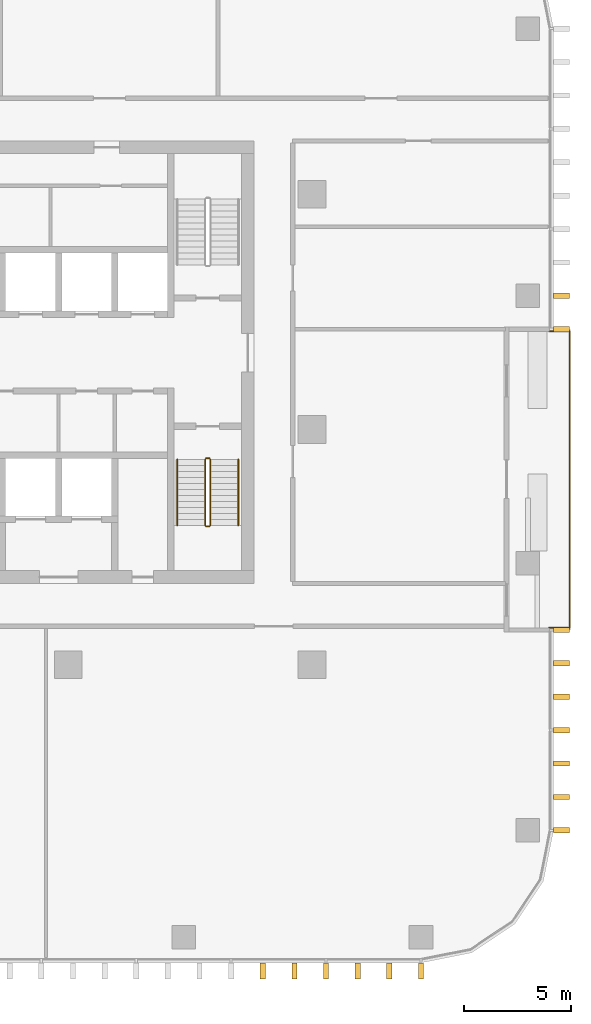
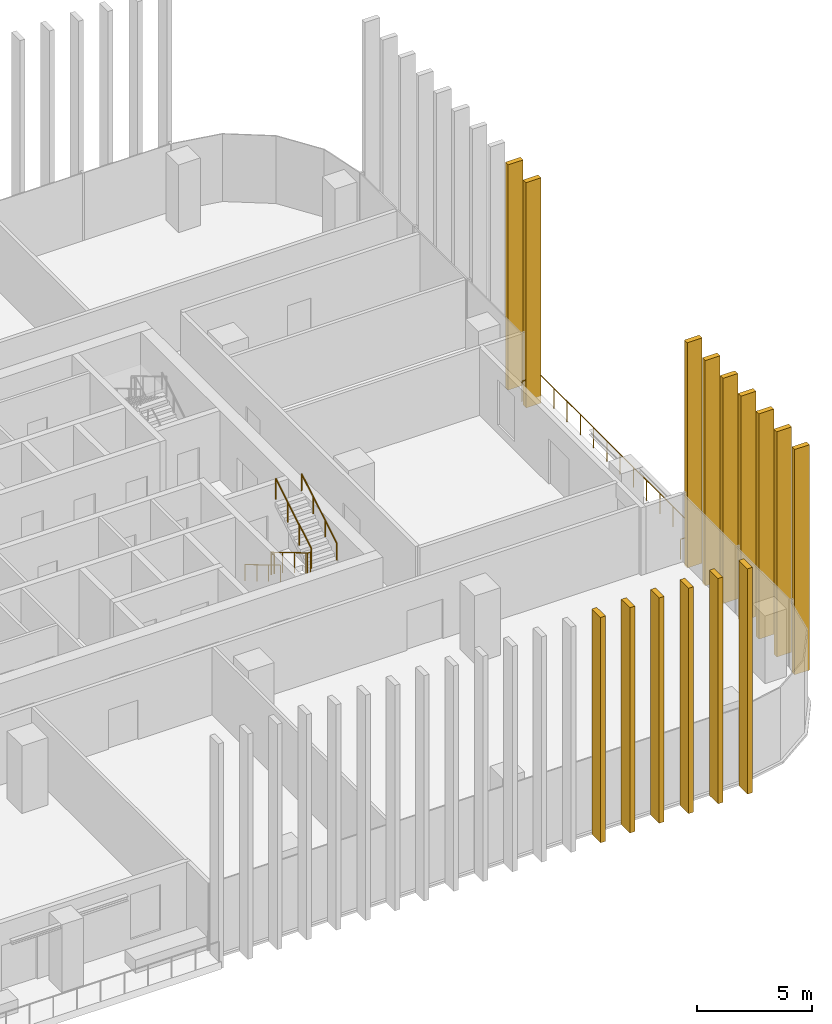
# One storey, part 13 of 15: 15 shading devices, 6 railings.
"""IFC4 building model written with IfcOpenShell, lengths in metres."""

import ifcopenshell
import ifcopenshell.guid

model = None  # the IFC model being written
_history = None  # IfcOwnerHistory: only IFC2X3 demands one
_inside = {}  # id of a spatial element -> (the spatial element, [elements in it])
_under = {}  # id of a project, library or spatial element -> (it, [spatial elements below it])
_declared = {}  # id of a project -> (the project, [libraries it declares])
_typed = {}  # id of a type object -> (the type object, [elements of that type])
_made_of = {}  # id of a material, layer set ... -> (it, [elements and type objects made of it])


def new_model(schema):
    """Start an empty IFC model of exactly this schema.

    Asked for "IFC4X3", IfcOpenShell would pick the latest addendum, in which some entities
    have other attributes; the version numbers below select the first issue.
    IFC2X3 requires an IfcOwnerHistory on every rooted entity: one is made here for all.
    """
    global model, _history
    if schema == "IFC4X3":
        model = ifcopenshell.file(schema_version=(4, 3, 0, 0))
    else:
        model = ifcopenshell.file(schema=schema)
    _inside.clear()
    _under.clear()
    _declared.clear()
    _typed.clear()
    _made_of.clear()
    _history = None
    if model.schema == "IFC2X3":
        org = make("IfcOrganization", Name="unknown")
        user = make(
            "IfcPersonAndOrganization",
            ThePerson=make("IfcPerson", FamilyName="unknown"),
            TheOrganization=org,
        )
        app = make(
            "IfcApplication",
            ApplicationDeveloper=org,
            Version="unknown",
            ApplicationFullName="unknown",
            ApplicationIdentifier="unknown",
        )
        _history = make(
            "IfcOwnerHistory",
            OwningUser=user,
            OwningApplication=app,
            ChangeAction="ADDED",
            CreationDate=0,
        )
    return model


def make(cls, **values):
    """One entity of the class cls with the attributes given. An attribute that is None is left unset."""
    return model.create_entity(
        cls, **{name: value for name, value in values.items() if value is not None}
    )


def rooted(cls, **values):
    """An entity with a GlobalId (a new one), such as an element, a storey or a relation."""
    return make(cls, GlobalId=ifcopenshell.guid.new(), OwnerHistory=_history, **values)


def si_unit(unit_type, name, prefix=None):
    """IfcSIUnit, for example si_unit("LENGTHUNIT", "METRE", prefix="MILLI")."""
    return make("IfcSIUnit", UnitType=unit_type, Prefix=prefix, Name=name)


def assignment(units):
    """IfcUnitAssignment: the units of a project."""
    return None if units is None else make("IfcUnitAssignment", Units=units)


def point(xyz):
    """IfcCartesianPoint."""
    return None if xyz is None else make("IfcCartesianPoint", Coordinates=xyz)


def direction(xyz):
    """IfcDirection."""
    return None if xyz is None else make("IfcDirection", DirectionRatios=xyz)


def frame(location, z_axis=None, x_axis=None):
    """IfcAxis2Placement3D, a coordinate frame: its origin and axes. An axis left out is left unset."""
    return make(
        "IfcAxis2Placement3D",
        Location=point(location),
        Axis=direction(z_axis),
        RefDirection=direction(x_axis),
    )


def frame_2d(location, x_axis=None):
    """IfcAxis2Placement2D, a coordinate frame in the plane: its origin and x axis."""
    return make(
        "IfcAxis2Placement2D", Location=point(location), RefDirection=direction(x_axis)
    )


def origin():
    """The frame at (0, 0, 0) with its axes left unset."""
    return frame((0.0, 0.0, 0.0))


def origin_2d():
    """The frame at (0, 0) in the plane with its x axis left unset."""
    return frame_2d((0.0, 0.0))


def place(relative_to, where):
    """IfcLocalPlacement: puts the frame where relative to a parent placement (None: the world)."""
    return make(
        "IfcLocalPlacement", PlacementRelTo=relative_to, RelativePlacement=where
    )


def context(
    kind, dimensions, precision=None, world=None, true_north=None, identifier=None
):
    """IfcGeometricRepresentationContext, for example the 3D "Model" context."""
    return make(
        "IfcGeometricRepresentationContext",
        ContextIdentifier=identifier,
        ContextType=kind,
        CoordinateSpaceDimension=dimensions,
        Precision=precision,
        WorldCoordinateSystem=world,
        TrueNorth=true_north,
    )


def subcontext(parent, identifier, kind, view, scale=None):
    """IfcGeometricRepresentationSubContext, for example "Body" below "Model"."""
    return make(
        "IfcGeometricRepresentationSubContext",
        ContextIdentifier=identifier,
        ContextType=kind,
        ParentContext=parent,
        TargetScale=scale,
        TargetView=view,
    )


def project(units=None, contexts=None):
    """IfcProject with its units and contexts."""
    return rooted(
        "IfcProject",
        Name="project",
        RepresentationContexts=contexts,
        UnitsInContext=assignment(units),
    )


def spatial(cls, under=None, at=None, **own):
    """A site, building, storey or space (cls), placed at a placement, below another one or the project."""
    s = rooted(cls, ObjectPlacement=at, **own)
    if under is not None:
        _under.setdefault(under.id(), (under, []))[1].append(s)
    return s


def profile(cls, at=None, kind="AREA", **sizes):
    """A parametric profile (cls). Its sizes go by their IFC names, for example OverallWidth=200.0."""
    return make(cls, ProfileType=kind, Position=at, **sizes)


def rectangle(**sizes):
    """IfcRectangleProfileDef."""
    return profile("IfcRectangleProfileDef", **sizes)


def circle(**sizes):
    """IfcCircleProfileDef."""
    return profile("IfcCircleProfileDef", **sizes)


def extrude(swept, where, along, depth):
    """IfcExtrudedAreaSolid: the profile swept, set in the frame where, extruded along a direction by depth."""
    return make(
        "IfcExtrudedAreaSolid",
        SweptArea=swept,
        Position=where,
        ExtrudedDirection=direction(along),
        Depth=depth,
    )


def shape(context_of_items, identifier, shape_type, items):
    """IfcShapeRepresentation: the items that make up one representation, for example the "Body"."""
    return make(
        "IfcShapeRepresentation",
        ContextOfItems=context_of_items,
        RepresentationIdentifier=identifier,
        RepresentationType=shape_type,
        Items=items,
    )


def material(Name=None, Category=None):
    """IfcMaterial."""
    return make("IfcMaterial", Name=Name, Category=Category)


def made_of(thing, what):
    """Note that an element or type object is made of a material, layer set ...; save() writes the relation."""
    if what is not None:
        _made_of.setdefault(what.id(), (what, []))[1].append(thing)
    return thing


def type_object(cls, material=None, **own):
    """A type object (cls), such as IfcWallType, which elements share."""
    return made_of(rooted(cls, **own), material)


def element(
    cls,
    number,
    at=None,
    inside=None,
    cuts=None,
    type_object=None,
    material=None,
    context=None,
    identifier="Body",
    shape_type=None,
    held_by="IfcProductDefinitionShape",
    body=None,
    shapes=None,
    **own,
):
    """One element of the class cls, such as IfcWall. Its Tag is "e" and its number.

    at: its placement. inside: the storey or other place that contains it. cuts: it is an
    opening in that element (IfcRelVoidsElement). A single representation is given by context,
    identifier, shape_type and body (its items); several are given by shapes. held_by: the class
    of the entity that holds the representations. save() writes the other relations.
    """
    e = rooted(cls, Tag="e%d" % number, ObjectPlacement=at, **own)
    if body is not None:
        shapes = [shape(context, identifier, shape_type, body)]
    if shapes is not None:
        e.Representation = make(held_by, Representations=shapes)
    if inside is not None:
        _inside.setdefault(inside.id(), (inside, []))[1].append(e)
    if cuts is not None:
        rooted(
            "IfcRelVoidsElement", RelatingBuildingElement=cuts, RelatedOpeningElement=e
        )
    if type_object is not None:
        _typed.setdefault(type_object.id(), (type_object, []))[1].append(e)
    return made_of(e, material)


def aggregate(whole, parts):
    """IfcRelAggregates: a whole, such as a stair, and the parts it consists of."""
    return rooted("IfcRelAggregates", RelatingObject=whole, RelatedObjects=parts)


def save(model, path):
    """Write the relations noted so far, then the file.

    IfcRelAggregates (storeys below a building ...), IfcRelContainedInSpatialStructure (elements
    in a storey), IfcRelDefinesByType, IfcRelAssociatesMaterial and IfcRelDeclares: one each for
    every whole, place, type object, material and project.
    """
    for whole, parts in _under.values():
        aggregate(whole, parts)
    for where, things in _inside.values():
        rooted(
            "IfcRelContainedInSpatialStructure",
            RelatedElements=things,
            RelatingStructure=where,
        )
    for kind, things in _typed.values():
        rooted("IfcRelDefinesByType", RelatedObjects=things, RelatingType=kind)
    for what, things in _made_of.values():
        rooted("IfcRelAssociatesMaterial", RelatedObjects=things, RelatingMaterial=what)
    for by, libraries in _declared.values():
        rooted("IfcRelDeclares", RelatingContext=by, RelatedDefinitions=libraries)
    model.write(path)


model = new_model("IFC4")

# Units and contexts
model_context = context("Model", 3, precision=1e-05, world=origin(), true_north=direction((0.0, 1.0)))
body_context = subcontext(model_context, "Body", "Model", "MODEL_VIEW")
ifc_project = project(units=[si_unit("LENGTHUNIT", "METRE"), si_unit("AREAUNIT", "SQUARE_METRE"), si_unit("VOLUMEUNIT", "CUBIC_METRE"), si_unit("PLANEANGLEUNIT", "RADIAN"), si_unit("MASSUNIT", "GRAM", prefix="KILO")], contexts=[model_context])

# Site, building, storey
site_placement = place(None, origin())
site = spatial("IfcSite", under=ifc_project, at=site_placement, CompositionType="ELEMENT")
building_placement = place(site_placement, origin())
building = spatial("IfcBuilding", under=site, at=building_placement, Name="Mopane Tessera Tower", CompositionType="ELEMENT")
storey_placement = place(building_placement, frame((0.0, 0.0, 211.0)))
storey = spatial("IfcBuildingStorey", under=building, at=storey_placement, Name="L44", CompositionType="ELEMENT", Elevation=211.0)

# Shading devices
ifc_material_1 = material(Name="Glazed ceramic tile")
shading_device_type = type_object("IfcShadingDeviceType", Name="Ceramic tile fin 750 x 250 mm", PredefinedType="USERDEFINED", material=ifc_material_1)
for number, where, z_axis, x_axis, name in (
    (1, (14.800048828125, -25.324951171875, -0.39990234375), (0.0, 0.0, 1.0), (1.0, 0.0, 0.0), "e:fin:L44:S:8:1"),
    (2, (16.280029296875, -25.324951171875, -0.39990234375), (0.0, 0.0, 1.0), (1.0, 0.0, 0.0), "e:fin:L44:S:8:2"),
    (3, (17.760009765625, -25.324951171875, -0.39990234375), (0.0, 0.0, 1.0), (1.0, 0.0, 0.0), "e:fin:L44:S:9:0"),
    (4, (19.239990234375, -25.324951171875, -0.39990234375), (0.0, 0.0, 1.0), (1.0, 0.0, 0.0), "e:fin:L44:S:9:1"),
    (5, (20.719970703125, -25.324951171875, -0.39990234375), (0.0, 0.0, 1.0), (1.0, 0.0, 0.0), "e:fin:L44:S:9:2"),
    (6, (22.199951171875, -25.324951171875, -0.39990234375), (0.0, 0.0, 1.0), (1.0, 0.0, 0.0), "e:fin:L44:S:9:3"),
    (7, (28.77490234375, -18.75, -0.39990234375), (0.0, 0.0, 1.0), (0.0, 1.0, 0.0), "e:fin:L44:E:0:0"),
    (8, (28.77490234375, -17.1875, -0.39990234375), (0.0, 0.0, 1.0), (0.0, 1.0, 0.0), "e:fin:L44:E:0:1"),
    (9, (28.77490234375, -15.625, -0.39990234375), (0.0, 0.0, 1.0), (0.0, 1.0, 0.0), "e:fin:L44:E:0:2"),
    (10, (28.77490234375, -14.0625, -0.39990234375), (0.0, 0.0, 1.0), (0.0, 1.0, 0.0), "e:fin:L44:E:1:0"),
    (11, (28.77490234375, -12.5, -0.39990234375), (0.0, 0.0, 1.0), (0.0, 1.0, 0.0), "e:fin:L44:E:1:1"),
    (12, (28.77490234375, -10.9375, -0.39990234375), (0.0, 0.0, 1.0), (0.0, 1.0, 0.0), "e:fin:L44:E:1:2"),
    (13, (28.77490234375, -9.375, -0.39990234375), (0.0, 0.0, 1.0), (0.0, 1.0, 0.0), "e:fin:L44:E:1:3"),
    (14, (28.77490234375, 4.6875, -0.39990234375), (0.0, 0.0, 1.0), (0.0, 1.0, 0.0), "e:fin:L44:E:5:0"),
    (15, (28.77490234375, 6.25, -0.39990234375), (0.0, 0.0, 1.0), (0.0, 1.0, 0.0), "e:fin:L44:E:5:1"),
):
    element("IfcShadingDevice", number, at=place(storey_placement, frame(where, z_axis=z_axis, x_axis=x_axis)), inside=storey, type_object=shading_device_type, Name=name, ObjectType="FIN", PredefinedType="USERDEFINED", context=body_context, shape_type="SweptSolid", body=[
        extrude(rectangle(XDim=0.25, YDim=0.75, at=origin_2d()), origin(), (0.0, 0.0, 1.0), 12.0),
    ])

# Railings
ifc_material_2 = material(Name="Powder-coated steel balustrade", Category="steel")
railing_type_1 = type_object("IfcRailingType", Name="Escape stair guard 1100 mm", PredefinedType="GUARDRAIL", material=ifc_material_2)
railing_1_placement = place(storey_placement, frame((12.10009765625, -1.39990234375, 0.166748046875)))
element("IfcRailing", 16, at=railing_1_placement, inside=storey, type_object=railing_type_1, Name="L44 ST3 stair guard 1", PredefinedType="GUARDRAIL", context=body_context, shape_type="SweptSolid", body=[
    extrude(circle(Radius=0.02392578125, at=origin_2d()), frame((0.0, 0.0, 1.076171875), z_axis=(0.0, -0.859308565015, 0.511457515432), x_axis=(1.0, 0.0, 0.0)), (0.0, 0.0, 1.0), 3.58447265625),
    extrude(circle(Radius=0.02392578125, at=origin_2d()), frame((0.0, -3.080078125, 2.9091796875), z_axis=(0.705375805398, -0.708833529934, 0.0), x_axis=(0.708833529934, 0.705375805398, 0.0)), (0.0, 0.0, 1.0), 0.070556640625),
    extrude(circle(Radius=0.02392578125, at=origin_2d()), frame((0.0498046875, -3.130126953125, 2.9091796875), z_axis=(1.0, 0.0, 0.0), x_axis=(0.0, 1.0, 0.0)), (0.0, 0.0, 1.0), 0.150146484375),
    extrude(circle(Radius=0.02099609375, at=origin_2d()), origin(), (0.0, 0.0, 1.0), 1.052001953125),
    extrude(circle(Radius=0.02099609375, at=origin_2d()), frame((0.0, -1.026611328125, 0.611083984375)), (0.0, 0.0, 1.0), 1.052001953125),
    extrude(circle(Radius=0.02099609375, at=origin_2d()), frame((0.0, -2.053466796875, 1.22216796875)), (0.0, 0.0, 1.0), 1.052001953125),
    extrude(circle(Radius=0.02099609375, at=origin_2d()), frame((0.0, -3.080078125, 1.833251953125)), (0.0, 0.0, 1.0), 1.052001953125),
    extrude(circle(Radius=0.02099609375, at=origin_2d()), frame((0.0498046875, -3.130126953125, 1.833251953125)), (0.0, 0.0, 1.0), 1.052001953125),
    extrude(circle(Radius=0.02099609375, at=origin_2d()), frame((0.199951171875, -3.130126953125, 1.833251953125)), (0.0, 0.0, 1.0), 1.052001953125),
])
railing_2_placement = place(storey_placement, frame((12.35009765625, -4.47998046875, 2.166748046875)))
element("IfcRailing", 17, at=railing_2_placement, inside=storey, type_object=railing_type_1, Name="L44 ST3 stair guard 2", PredefinedType="GUARDRAIL", context=body_context, shape_type="SweptSolid", body=[
    extrude(circle(Radius=0.02392578125, at=origin_2d()), frame((0.0, 0.0, 1.076171875), z_axis=(0.0, 0.859308565015, 0.511457515432), x_axis=(-1.0, 0.0, 0.0)), (0.0, 0.0, 1.0), 3.58447265625),
    extrude(circle(Radius=0.02099609375, at=origin_2d()), origin(), (0.0, 0.0, 1.0), 1.052001953125),
    extrude(circle(Radius=0.02099609375, at=origin_2d()), frame((0.0, 1.026611328125, 0.611083984375)), (0.0, 0.0, 1.0), 1.052001953125),
    extrude(circle(Radius=0.02099609375, at=origin_2d()), frame((0.0, 2.053466796875, 1.22216796875)), (0.0, 0.0, 1.0), 1.052001953125),
    extrude(circle(Radius=0.02099609375, at=origin_2d()), frame((0.0, 3.080078125, 1.833251953125)), (0.0, 0.0, 1.0), 1.052001953125),
])
railing_3_placement = place(storey_placement, frame((12.14990234375, -1.35009765625, 0.0)))
element("IfcRailing", 18, at=railing_3_placement, inside=storey, type_object=railing_type_1, Name="L44 ST3 stair guard 3", PredefinedType="GUARDRAIL", context=body_context, shape_type="SweptSolid", body=[
    extrude(circle(Radius=0.02392578125, at=origin_2d()), frame((0.0, 0.0, 1.076171875), z_axis=(1.0, 0.0, 0.0), x_axis=(0.0, 1.0, 0.0)), (0.0, 0.0, 1.0), 0.150146484375),
    extrude(circle(Radius=0.02099609375, at=origin_2d()), origin(), (0.0, 0.0, 1.0), 1.052001953125),
    extrude(circle(Radius=0.02099609375, at=origin_2d()), frame((0.150146484375, 0.0, 0.0)), (0.0, 0.0, 1.0), 1.052001953125),
])
ifc_material_3 = material(Name="Powder-coated steel balustrade", Category="steel")
railing_type_2 = type_object("IfcRailingType", Name="Escape stair handrail 900 mm", PredefinedType="HANDRAIL", material=ifc_material_3)
railing_4_placement = place(storey_placement, frame((10.800048828125, -1.39990234375, 0.166748046875)))
element("IfcRailing", 19, at=railing_4_placement, inside=storey, type_object=railing_type_2, Name="L44 ST3 stair handrail 1", PredefinedType="HANDRAIL", context=body_context, shape_type="SweptSolid", body=[
    extrude(circle(Radius=0.02392578125, at=origin_2d()), frame((0.0, 0.0, 0.8759765625), z_axis=(0.0, -0.859308565015, 0.511457515432), x_axis=(1.0, 0.0, 0.0)), (0.0, 0.0, 1.0), 3.58447265625),
    extrude(circle(Radius=0.02099609375, at=origin_2d()), origin(), (0.0, 0.0, 1.0), 0.851806640625),
    extrude(circle(Radius=0.02099609375, at=origin_2d()), frame((0.0, -1.026611328125, 0.611083984375)), (0.0, 0.0, 1.0), 0.851806640625),
    extrude(circle(Radius=0.02099609375, at=origin_2d()), frame((0.0, -2.053466796875, 1.22216796875)), (0.0, 0.0, 1.0), 0.851806640625),
    extrude(circle(Radius=0.02099609375, at=origin_2d()), frame((0.0, -3.080078125, 1.833251953125)), (0.0, 0.0, 1.0), 0.851806640625),
])
railing_5_placement = place(storey_placement, frame((13.64990234375, -4.47998046875, 2.166748046875)))
element("IfcRailing", 20, at=railing_5_placement, inside=storey, type_object=railing_type_2, Name="L44 ST3 stair handrail 2", PredefinedType="HANDRAIL", context=body_context, shape_type="SweptSolid", body=[
    extrude(circle(Radius=0.02392578125, at=origin_2d()), frame((0.0, 0.0, 0.8759765625), z_axis=(0.0, 0.859308565015, 0.511457515432), x_axis=(-1.0, 0.0, 0.0)), (0.0, 0.0, 1.0), 3.58447265625),
    extrude(circle(Radius=0.02099609375, at=origin_2d()), origin(), (0.0, 0.0, 1.0), 0.851806640625),
    extrude(circle(Radius=0.02099609375, at=origin_2d()), frame((0.0, 1.026611328125, 0.611083984375)), (0.0, 0.0, 1.0), 0.851806640625),
    extrude(circle(Radius=0.02099609375, at=origin_2d()), frame((0.0, 2.053466796875, 1.22216796875)), (0.0, 0.0, 1.0), 0.851806640625),
    extrude(circle(Radius=0.02099609375, at=origin_2d()), frame((0.0, 3.080078125, 1.833251953125)), (0.0, 0.0, 1.0), 0.851806640625),
])
ifc_material_4 = material(Name="Stainless steel S316", Category="steel")
railing_type_3 = type_object("IfcRailingType", Name="Terrace guard 1100", PredefinedType="GUARDRAIL", material=ifc_material_4)
railing_6_placement = place(storey_placement, frame((28.199951171875, -9.27490234375, 0.0)))
element("IfcRailing", 21, at=railing_6_placement, inside=storey, type_object=railing_type_3, Name="e:nw:L44:N2:guard", PredefinedType="GUARDRAIL", context=body_context, shape_type="SweptSolid", body=[
    extrude(circle(Radius=0.02392578125, at=origin_2d()), frame((0.0, 0.0, 1.076171875), z_axis=(1.0, 0.0, 0.0), x_axis=(0.0, 1.0, 0.0)), (0.0, 0.0, 1.0), 0.949951171875),
    extrude(circle(Radius=0.02392578125, at=origin_2d()), frame((0.949951171875, 0.0, 1.076171875), z_axis=(0.0, 1.0, 0.0), x_axis=(-1.0, 0.0, 0.0)), (0.0, 0.0, 1.0), 13.8623046875),
    extrude(circle(Radius=0.02392578125, at=origin_2d()), frame((0.949951171875, 13.8623046875, 1.076171875), z_axis=(-1.0, 0.0, 0.0), x_axis=(0.0, -1.0, 0.0)), (0.0, 0.0, 1.0), 0.949951171875),
    extrude(circle(Radius=0.02099609375, at=origin_2d()), origin(), (0.0, 0.0, 1.0), 1.052001953125),
    extrude(circle(Radius=0.02099609375, at=origin_2d()), frame((0.949951171875, 0.0, 0.0)), (0.0, 0.0, 1.0), 1.052001953125),
    extrude(circle(Radius=0.02099609375, at=origin_2d()), frame((0.949951171875, 1.1552734375, 0.0)), (0.0, 0.0, 1.0), 1.052001953125),
    extrude(circle(Radius=0.02099609375, at=origin_2d()), frame((0.949951171875, 2.310302734375, 0.0)), (0.0, 0.0, 1.0), 1.052001953125),
    extrude(circle(Radius=0.02099609375, at=origin_2d()), frame((0.949951171875, 3.465576171875, 0.0)), (0.0, 0.0, 1.0), 1.052001953125),
    extrude(circle(Radius=0.02099609375, at=origin_2d()), frame((0.949951171875, 4.620849609375, 0.0)), (0.0, 0.0, 1.0), 1.052001953125),
    extrude(circle(Radius=0.02099609375, at=origin_2d()), frame((0.949951171875, 5.77587890625, 0.0)), (0.0, 0.0, 1.0), 1.052001953125),
    extrude(circle(Radius=0.02099609375, at=origin_2d()), frame((0.949951171875, 6.93115234375, 0.0)), (0.0, 0.0, 1.0), 1.052001953125),
    extrude(circle(Radius=0.02099609375, at=origin_2d()), frame((0.949951171875, 8.08642578125, 0.0)), (0.0, 0.0, 1.0), 1.052001953125),
    extrude(circle(Radius=0.02099609375, at=origin_2d()), frame((0.949951171875, 9.241455078125, 0.0)), (0.0, 0.0, 1.0), 1.052001953125),
    extrude(circle(Radius=0.02099609375, at=origin_2d()), frame((0.949951171875, 10.396728515625, 0.0)), (0.0, 0.0, 1.0), 1.052001953125),
    extrude(circle(Radius=0.02099609375, at=origin_2d()), frame((0.949951171875, 11.552001953125, 0.0)), (0.0, 0.0, 1.0), 1.052001953125),
    extrude(circle(Radius=0.02099609375, at=origin_2d()), frame((0.949951171875, 12.70703125, 0.0)), (0.0, 0.0, 1.0), 1.052001953125),
    extrude(circle(Radius=0.02099609375, at=origin_2d()), frame((0.949951171875, 13.8623046875, 0.0)), (0.0, 0.0, 1.0), 1.052001953125),
    extrude(circle(Radius=0.02099609375, at=origin_2d()), frame((0.0, 13.8623046875, 0.0)), (0.0, 0.0, 1.0), 1.052001953125),
])

save(model, "model.ifc")
